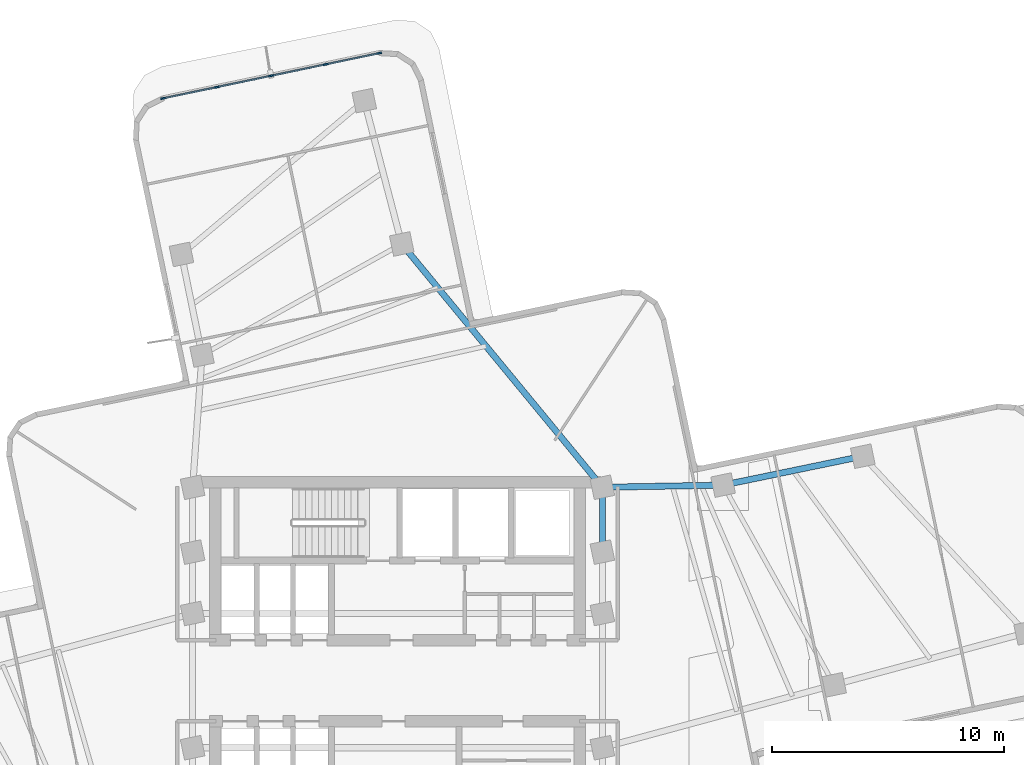
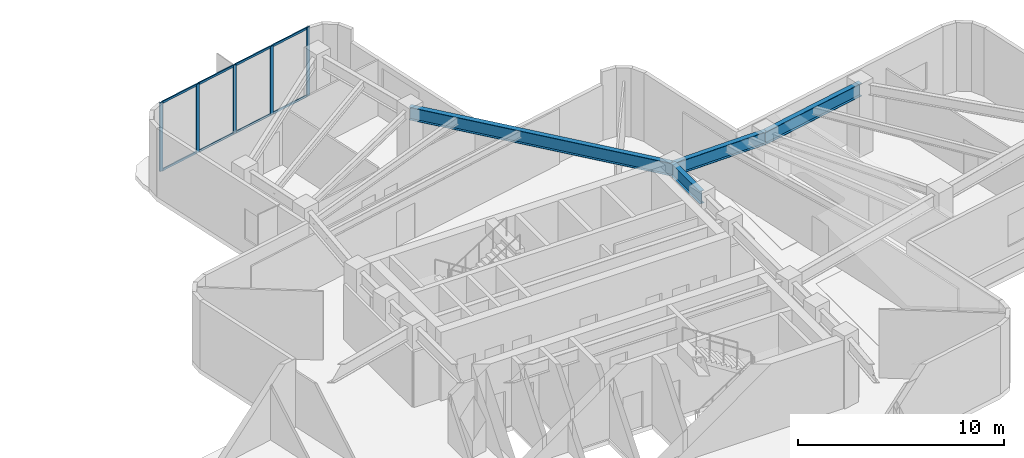
# One storey, part 4 of 12: 13 members, 4 beams, 1 element without a shape of its own.
"""IFC4 building model written with IfcOpenShell, lengths in metres."""

from ifc_helpers import new_model, si_unit, direction, frame, origin, origin_2d, place, context, subcontext, project, spatial, rectangle, i_section, extrude, material, layer, layer_set, material_profile, profile_set, type_object, element, aggregate, save


model = new_model("IFC4")

# Units and contexts
model_context = context("Model", 3, precision=1e-05, world=origin(), true_north=direction((0.0, 1.0)))
body_context = subcontext(model_context, "Body", "Model", "MODEL_VIEW")
ifc_project = project(units=[si_unit("LENGTHUNIT", "METRE"), si_unit("AREAUNIT", "SQUARE_METRE"), si_unit("VOLUMEUNIT", "CUBIC_METRE"), si_unit("PLANEANGLEUNIT", "RADIAN"), si_unit("MASSUNIT", "GRAM", prefix="KILO")], contexts=[model_context])

# Site, building, storey
site_placement = place(None, origin())
site = spatial("IfcSite", under=ifc_project, at=site_placement, CompositionType="ELEMENT")
building_placement = place(site_placement, origin())
building = spatial("IfcBuilding", under=site, at=building_placement, Name="Solmarez Civic Tower", CompositionType="ELEMENT")
storey_placement = place(building_placement, frame((0.0, 0.0, 111.9599609375)))
storey = spatial("IfcBuildingStorey", under=building, at=storey_placement, Name="L29", CompositionType="ELEMENT", Elevation=111.9599609375)

# Beams
ifc_material_1 = material(Name="Steel S355", Category="steel")
ifc_material_profile_1 = material_profile(ifc_material_1, i_section(OverallWidth=0.26708984375, OverallDepth=0.761962890625, WebThickness=0.014404296875, FlangeThickness=0.021484375, at=origin_2d()), Name="W30X116")
ifc_profile_set_1 = profile_set([ifc_material_profile_1], Name="Steel S355")
beam_type = type_object("IfcBeamType", Name="BM-PR-W30X116", PredefinedType="BEAM", material=ifc_profile_set_1)
beam_1_placement = place(storey_placement, frame((8.85009765625, 5.550048828125, 3.678955078125), z_axis=(0.0, 1.0, 0.0), x_axis=(-1.0, 0.0, 0.0)))
element("IfcBeam", 1, at=beam_1_placement, inside=storey, type_object=beam_type, Name="L29 Primary Floor Beam BM-L29-HC8-HC11", PredefinedType="BEAM", context=body_context, shape_type="SweptSolid", body=[
    extrude(i_section(OverallWidth=0.26708984375, OverallDepth=0.761962890625, WebThickness=0.014404296875, FlangeThickness=0.021484375, at=origin_2d()), origin(), (0.0, 0.0, 1.0), 2.800048828125),
])
beam_2_placement = place(storey_placement, frame((8.85009765625, 8.35009765625, 3.678955078125), z_axis=(0.999834147765, 0.018212000538, 0.0), x_axis=(-0.018212000538, 0.999834147765, 0.0)))
element("IfcBeam", 2, at=beam_2_placement, inside=storey, type_object=beam_type, Name="L29 Primary Floor Beam BM-L29-EA-R1B", PredefinedType="BEAM", context=body_context, shape_type="SweptSolid", body=[
    extrude(i_section(OverallWidth=0.26708984375, OverallDepth=0.761962890625, WebThickness=0.014404296875, FlangeThickness=0.021484375, at=origin_2d()), origin(), (0.0, 0.0, 1.0), 5.21484375),
])
beam_3_placement = place(storey_placement, frame((14.06396484375, 8.445068359375, 3.678955078125), z_axis=(0.979311082476, 0.202360578523, 0.0), x_axis=(-0.202360578523, 0.979311082476, 0.0)))
element("IfcBeam", 3, at=beam_3_placement, inside=storey, type_object=beam_type, Name="L29 Primary Floor Beam BM-L29-EA-R2B", PredefinedType="BEAM", context=body_context, shape_type="SweptSolid", body=[
    extrude(i_section(OverallWidth=0.26708984375, OverallDepth=0.761962890625, WebThickness=0.014404296875, FlangeThickness=0.021484375, at=origin_2d()), origin(), (0.0, 0.0, 1.0), 6.161376953125),
])
beam_4_placement = place(storey_placement, frame((8.85009765625, 8.35009765625, 3.678955078125), z_axis=(-0.636218453069, 0.77150896299, 0.0), x_axis=(-0.77150896299, -0.636218453069, 0.0)))
element("IfcBeam", 4, at=beam_4_placement, inside=storey, type_object=beam_type, Name="L29 Primary Floor Beam BM-L29-NA-R1A", PredefinedType="BEAM", context=body_context, shape_type="SweptSolid", body=[
    extrude(i_section(OverallWidth=0.26708984375, OverallDepth=0.761962890625, WebThickness=0.014404296875, FlangeThickness=0.021484375, at=origin_2d()), origin(), (0.0, 0.0, 1.0), 13.62255859375),
])

# Curtain wall, members
ifc_material_2 = material(Name="Bronze Anodised Aluminium EN AW-6063 T6", Category="aluminium")
ifc_layer = layer(ifc_material_2, 0.2099609375)
ifc_layer_set = layer_set([ifc_layer], Name="Bronze Anodised Aluminium EN AW-6063 T6")
curtain_wall_type = type_object("IfcCurtainWallType", Name="CW-SYS-5", PredefinedType="NOTDEFINED", material=ifc_layer_set)
curtain_wall_placement = place(storey_placement, origin())
curtain_wall = element("IfcCurtainWall", 5, at=curtain_wall_placement, inside=storey, type_object=curtain_wall_type, Name="L29 Stick-Built Curtain Wall 2", PredefinedType="NOTDEFINED")
ifc_material_profile_2 = material_profile(ifc_material_2, rectangle(XDim=0.074951171875, YDim=0.199951171875, at=origin_2d()), Name="CWM-75X200")
ifc_profile_set_2 = profile_set([ifc_material_profile_2], Name="Bronze Anodised Aluminium EN AW-6063 T6")
member_type_1 = type_object("IfcMemberType", Name="CWM-TYPE-1", PredefinedType="MULLION", material=ifc_profile_set_2)
member_1_placement = place(storey_placement, frame((-10.12939453125, 25.149658203125, 0.0), z_axis=(0.0, 0.0, 1.0), x_axis=(-0.204585211948, 0.978848758007, 0.0)))
member_1 = element("IfcMember", 6, at=member_1_placement, type_object=member_type_1, Name="CWS5 mullion 1", PredefinedType="MULLION", context=body_context, shape_type="SweptSolid", body=[
    extrude(rectangle(XDim=0.074951171875, YDim=0.199951171875, at=origin_2d()), origin(), (0.0, 0.0, 1.0), 4.06005859375),
])
member_2_placement = place(storey_placement, frame((-7.81201171875, 25.634033203125, 0.0), z_axis=(0.0, 0.0, 1.0), x_axis=(-0.204585211948, 0.978848758007, 0.0)))
member_2 = element("IfcMember", 7, at=member_2_placement, type_object=member_type_1, Name="CWS5 mullion 2", PredefinedType="MULLION", context=body_context, shape_type="SweptSolid", body=[
    extrude(rectangle(XDim=0.074951171875, YDim=0.199951171875, at=origin_2d()), origin(), (0.0, 0.0, 1.0), 4.06005859375),
])
member_3_placement = place(storey_placement, frame((-5.4580078125, 26.1259765625, 0.0), z_axis=(0.0, 0.0, 1.0), x_axis=(-0.204585211948, 0.978848758007, 0.0)))
member_3 = element("IfcMember", 8, at=member_3_placement, type_object=member_type_1, Name="CWS5 mullion 3", PredefinedType="MULLION", context=body_context, shape_type="SweptSolid", body=[
    extrude(rectangle(XDim=0.074951171875, YDim=0.199951171875, at=origin_2d()), origin(), (0.0, 0.0, 1.0), 4.06005859375),
])
member_4_placement = place(storey_placement, frame((-3.10400390625, 26.617919921875, 0.0), z_axis=(0.0, 0.0, 1.0), x_axis=(-0.204585211948, 0.978848758007, 0.0)))
member_4 = element("IfcMember", 9, at=member_4_placement, type_object=member_type_1, Name="CWS5 mullion 4", PredefinedType="MULLION", context=body_context, shape_type="SweptSolid", body=[
    extrude(rectangle(XDim=0.074951171875, YDim=0.199951171875, at=origin_2d()), origin(), (0.0, 0.0, 1.0), 4.06005859375),
])
member_5_placement = place(storey_placement, frame((-0.78662109375, 27.102294921875, 0.0), z_axis=(0.0, 0.0, 1.0), x_axis=(-0.204585211948, 0.978848758007, 0.0)))
member_5 = element("IfcMember", 10, at=member_5_placement, type_object=member_type_1, Name="CWS5 mullion 5", PredefinedType="MULLION", context=body_context, shape_type="SweptSolid", body=[
    extrude(rectangle(XDim=0.074951171875, YDim=0.199951171875, at=origin_2d()), origin(), (0.0, 0.0, 1.0), 4.06005859375),
])
ifc_material_profile_3 = material_profile(ifc_material_2, rectangle(XDim=0.06494140625, YDim=0.125, at=origin_2d()), Name="CWT-65X125")
ifc_profile_set_3 = profile_set([ifc_material_profile_3], Name="Bronze Anodised Aluminium EN AW-6063 T6")
member_type_2 = type_object("IfcMemberType", Name="CWT-TYPE-2", PredefinedType="USERDEFINED", material=ifc_profile_set_3)
member_6_placement = place(storey_placement, frame((-10.092529296875, 25.1572265625, 0.032470703125), z_axis=(0.978848196272, 0.20458789958, 0.0), x_axis=(-0.20458789958, 0.978848196272, 0.0)))
member_6 = element("IfcMember", 11, at=member_6_placement, type_object=member_type_2, Name="CWS5 transom 1.1", ObjectType="TRANSOM", PredefinedType="USERDEFINED", context=body_context, shape_type="SweptSolid", body=[
    extrude(rectangle(XDim=0.06494140625, YDim=0.125, at=origin_2d()), origin(), (0.0, 0.0, 1.0), 2.29248046875),
])
member_7_placement = place(storey_placement, frame((-10.092529296875, 25.1572265625, 4.027587890625), z_axis=(0.978848196272, 0.20458789958, 0.0), x_axis=(-0.20458789958, 0.978848196272, 0.0)))
member_7 = element("IfcMember", 12, at=member_7_placement, type_object=member_type_2, Name="CWS5 transom 1.2", ObjectType="TRANSOM", PredefinedType="USERDEFINED", context=body_context, shape_type="SweptSolid", body=[
    extrude(rectangle(XDim=0.06494140625, YDim=0.125, at=origin_2d()), origin(), (0.0, 0.0, 1.0), 2.29248046875),
])
member_8_placement = place(storey_placement, frame((-7.775390625, 25.6416015625, 0.032470703125), z_axis=(0.978838969717, 0.204632038948, 0.0), x_axis=(-0.204632038948, 0.978838969717, 0.0)))
member_8 = element("IfcMember", 13, at=member_8_placement, type_object=member_type_2, Name="CWS5 transom 2.1", ObjectType="TRANSOM", PredefinedType="USERDEFINED", context=body_context, shape_type="SweptSolid", body=[
    extrude(rectangle(XDim=0.06494140625, YDim=0.125, at=origin_2d()), origin(), (0.0, 0.0, 1.0), 2.330078125),
])
member_9_placement = place(storey_placement, frame((-7.775390625, 25.6416015625, 4.027587890625), z_axis=(0.978838969717, 0.204632038948, 0.0), x_axis=(-0.204632038948, 0.978838969717, 0.0)))
member_9 = element("IfcMember", 14, at=member_9_placement, type_object=member_type_2, Name="CWS5 transom 2.2", ObjectType="TRANSOM", PredefinedType="USERDEFINED", context=body_context, shape_type="SweptSolid", body=[
    extrude(rectangle(XDim=0.06494140625, YDim=0.125, at=origin_2d()), origin(), (0.0, 0.0, 1.0), 2.330078125),
])
member_10_placement = place(storey_placement, frame((-5.42138671875, 26.1337890625, 0.032470703125), z_axis=(0.978859952304, 0.204531644926, 0.0), x_axis=(-0.204531644926, 0.978859952304, 0.0)))
member_10 = element("IfcMember", 15, at=member_10_placement, type_object=member_type_2, Name="CWS5 transom 3.1", ObjectType="TRANSOM", PredefinedType="USERDEFINED", context=body_context, shape_type="SweptSolid", body=[
    extrude(rectangle(XDim=0.06494140625, YDim=0.125, at=origin_2d()), origin(), (0.0, 0.0, 1.0), 2.330078125),
])
member_11_placement = place(storey_placement, frame((-5.42138671875, 26.1337890625, 4.027587890625), z_axis=(0.978859952304, 0.204531644926, 0.0), x_axis=(-0.204531644926, 0.978859952304, 0.0)))
member_11 = element("IfcMember", 16, at=member_11_placement, type_object=member_type_2, Name="CWS5 transom 3.2", ObjectType="TRANSOM", PredefinedType="USERDEFINED", context=body_context, shape_type="SweptSolid", body=[
    extrude(rectangle(XDim=0.06494140625, YDim=0.125, at=origin_2d()), origin(), (0.0, 0.0, 1.0), 2.330078125),
])
member_12_placement = place(storey_placement, frame((-3.0673828125, 26.625732421875, 0.032470703125), z_axis=(0.978848196272, 0.20458789958, 0.0), x_axis=(-0.20458789958, 0.978848196272, 0.0)))
member_12 = element("IfcMember", 17, at=member_12_placement, type_object=member_type_2, Name="CWS5 transom 4.1", ObjectType="TRANSOM", PredefinedType="USERDEFINED", context=body_context, shape_type="SweptSolid", body=[
    extrude(rectangle(XDim=0.06494140625, YDim=0.125, at=origin_2d()), origin(), (0.0, 0.0, 1.0), 2.29248046875),
])
member_13_placement = place(storey_placement, frame((-3.0673828125, 26.625732421875, 4.027587890625), z_axis=(0.978848196272, 0.20458789958, 0.0), x_axis=(-0.20458789958, 0.978848196272, 0.0)))
member_13 = element("IfcMember", 18, at=member_13_placement, type_object=member_type_2, Name="CWS5 transom 4.2", ObjectType="TRANSOM", PredefinedType="USERDEFINED", context=body_context, shape_type="SweptSolid", body=[
    extrude(rectangle(XDim=0.06494140625, YDim=0.125, at=origin_2d()), origin(), (0.0, 0.0, 1.0), 2.29248046875),
])
aggregate(curtain_wall, [member_1, member_2, member_3, member_4, member_5, member_6, member_7, member_8, member_9, member_10, member_11, member_12, member_13])

save(model, "model.ifc")
